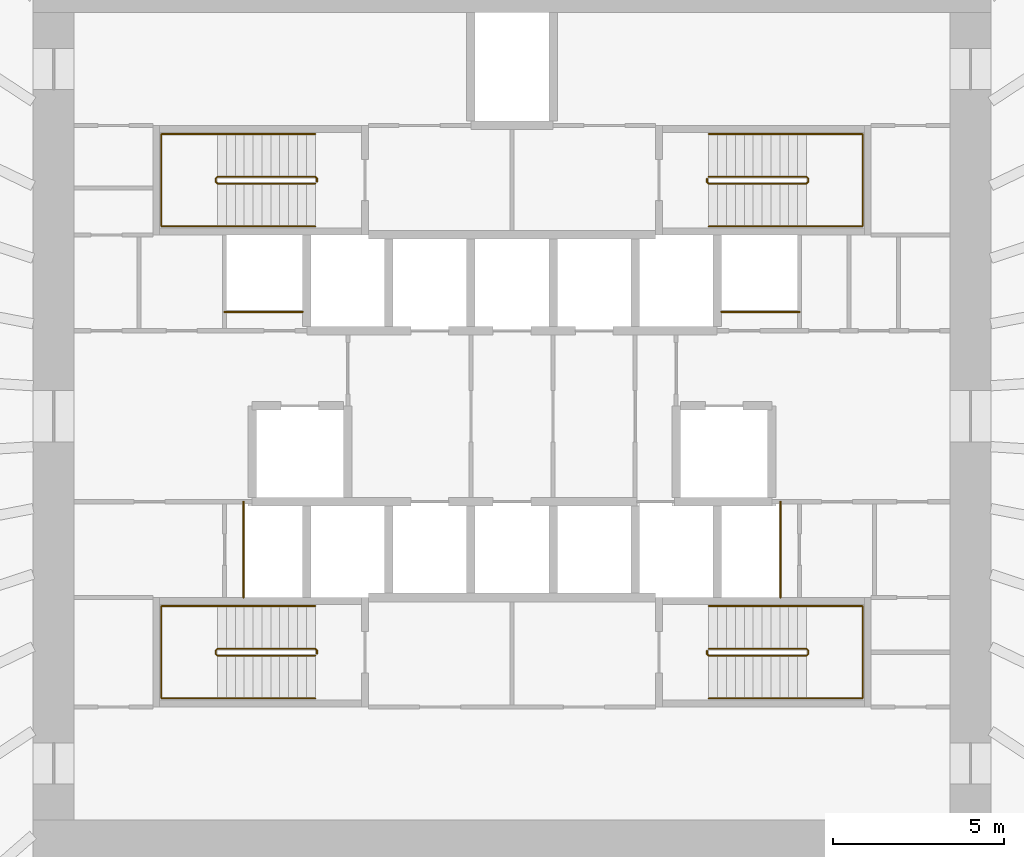
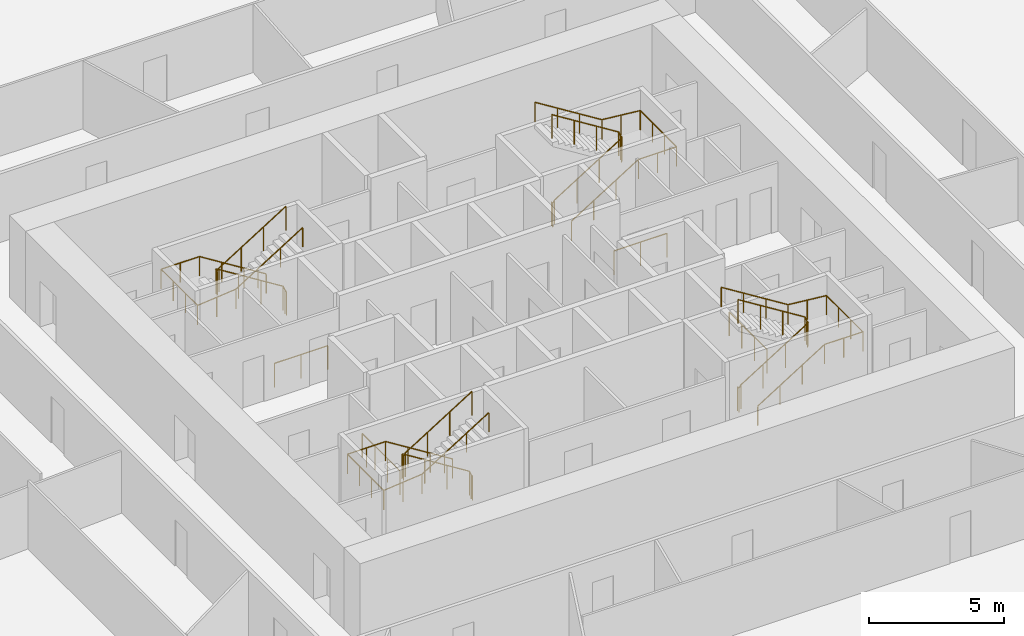
# One storey, part 12 of 12: 12 railings.
"""IFC4 building model written with IfcOpenShell, lengths in metres."""

import ifcopenshell
import ifcopenshell.guid

model = None  # the IFC model being written
_history = None  # IfcOwnerHistory: only IFC2X3 demands one
_inside = {}  # id of a spatial element -> (the spatial element, [elements in it])
_under = {}  # id of a project, library or spatial element -> (it, [spatial elements below it])
_declared = {}  # id of a project -> (the project, [libraries it declares])
_typed = {}  # id of a type object -> (the type object, [elements of that type])
_made_of = {}  # id of a material, layer set ... -> (it, [elements and type objects made of it])


def new_model(schema):
    """Start an empty IFC model of exactly this schema.

    Asked for "IFC4X3", IfcOpenShell would pick the latest addendum, in which some entities
    have other attributes; the version numbers below select the first issue.
    IFC2X3 requires an IfcOwnerHistory on every rooted entity: one is made here for all.
    """
    global model, _history
    if schema == "IFC4X3":
        model = ifcopenshell.file(schema_version=(4, 3, 0, 0))
    else:
        model = ifcopenshell.file(schema=schema)
    _inside.clear()
    _under.clear()
    _declared.clear()
    _typed.clear()
    _made_of.clear()
    _history = None
    if model.schema == "IFC2X3":
        org = make("IfcOrganization", Name="unknown")
        user = make(
            "IfcPersonAndOrganization",
            ThePerson=make("IfcPerson", FamilyName="unknown"),
            TheOrganization=org,
        )
        app = make(
            "IfcApplication",
            ApplicationDeveloper=org,
            Version="unknown",
            ApplicationFullName="unknown",
            ApplicationIdentifier="unknown",
        )
        _history = make(
            "IfcOwnerHistory",
            OwningUser=user,
            OwningApplication=app,
            ChangeAction="ADDED",
            CreationDate=0,
        )
    return model


def make(cls, **values):
    """One entity of the class cls with the attributes given. An attribute that is None is left unset."""
    return model.create_entity(
        cls, **{name: value for name, value in values.items() if value is not None}
    )


def rooted(cls, **values):
    """An entity with a GlobalId (a new one), such as an element, a storey or a relation."""
    return make(cls, GlobalId=ifcopenshell.guid.new(), OwnerHistory=_history, **values)


def si_unit(unit_type, name, prefix=None):
    """IfcSIUnit, for example si_unit("LENGTHUNIT", "METRE", prefix="MILLI")."""
    return make("IfcSIUnit", UnitType=unit_type, Prefix=prefix, Name=name)


def assignment(units):
    """IfcUnitAssignment: the units of a project."""
    return None if units is None else make("IfcUnitAssignment", Units=units)


def point(xyz):
    """IfcCartesianPoint."""
    return None if xyz is None else make("IfcCartesianPoint", Coordinates=xyz)


def direction(xyz):
    """IfcDirection."""
    return None if xyz is None else make("IfcDirection", DirectionRatios=xyz)


def frame(location, z_axis=None, x_axis=None):
    """IfcAxis2Placement3D, a coordinate frame: its origin and axes. An axis left out is left unset."""
    return make(
        "IfcAxis2Placement3D",
        Location=point(location),
        Axis=direction(z_axis),
        RefDirection=direction(x_axis),
    )


def frame_2d(location, x_axis=None):
    """IfcAxis2Placement2D, a coordinate frame in the plane: its origin and x axis."""
    return make(
        "IfcAxis2Placement2D", Location=point(location), RefDirection=direction(x_axis)
    )


def origin():
    """The frame at (0, 0, 0) with its axes left unset."""
    return frame((0.0, 0.0, 0.0))


def origin_2d():
    """The frame at (0, 0) in the plane with its x axis left unset."""
    return frame_2d((0.0, 0.0))


def place(relative_to, where):
    """IfcLocalPlacement: puts the frame where relative to a parent placement (None: the world)."""
    return make(
        "IfcLocalPlacement", PlacementRelTo=relative_to, RelativePlacement=where
    )


def context(
    kind, dimensions, precision=None, world=None, true_north=None, identifier=None
):
    """IfcGeometricRepresentationContext, for example the 3D "Model" context."""
    return make(
        "IfcGeometricRepresentationContext",
        ContextIdentifier=identifier,
        ContextType=kind,
        CoordinateSpaceDimension=dimensions,
        Precision=precision,
        WorldCoordinateSystem=world,
        TrueNorth=true_north,
    )


def subcontext(parent, identifier, kind, view, scale=None):
    """IfcGeometricRepresentationSubContext, for example "Body" below "Model"."""
    return make(
        "IfcGeometricRepresentationSubContext",
        ContextIdentifier=identifier,
        ContextType=kind,
        ParentContext=parent,
        TargetScale=scale,
        TargetView=view,
    )


def project(units=None, contexts=None):
    """IfcProject with its units and contexts."""
    return rooted(
        "IfcProject",
        Name="project",
        RepresentationContexts=contexts,
        UnitsInContext=assignment(units),
    )


def spatial(cls, under=None, at=None, **own):
    """A site, building, storey or space (cls), placed at a placement, below another one or the project."""
    s = rooted(cls, ObjectPlacement=at, **own)
    if under is not None:
        _under.setdefault(under.id(), (under, []))[1].append(s)
    return s


def profile(cls, at=None, kind="AREA", **sizes):
    """A parametric profile (cls). Its sizes go by their IFC names, for example OverallWidth=200.0."""
    return make(cls, ProfileType=kind, Position=at, **sizes)


def circle(**sizes):
    """IfcCircleProfileDef."""
    return profile("IfcCircleProfileDef", **sizes)


def extrude(swept, where, along, depth):
    """IfcExtrudedAreaSolid: the profile swept, set in the frame where, extruded along a direction by depth."""
    return make(
        "IfcExtrudedAreaSolid",
        SweptArea=swept,
        Position=where,
        ExtrudedDirection=direction(along),
        Depth=depth,
    )


def shape(context_of_items, identifier, shape_type, items):
    """IfcShapeRepresentation: the items that make up one representation, for example the "Body"."""
    return make(
        "IfcShapeRepresentation",
        ContextOfItems=context_of_items,
        RepresentationIdentifier=identifier,
        RepresentationType=shape_type,
        Items=items,
    )


def source(mapping_origin, context_of_items, identifier, shape_type, items):
    """IfcRepresentationMap: a shape defined once, which mapped items show again and again."""
    return make(
        "IfcRepresentationMap",
        MappingOrigin=mapping_origin,
        MappedRepresentation=shape(context_of_items, identifier, shape_type, items),
    )


def transform(
    local_origin,
    x_axis=None,
    y_axis=None,
    z_axis=None,
    scale=None,
    scale2=None,
    scale3=None,
    uniform=True,
):
    """IfcCartesianTransformationOperator3D, or its non-uniform kind. x_axis, y_axis, z_axis: its Axis1, 2, 3."""
    if uniform:
        return make(
            "IfcCartesianTransformationOperator3D",
            Axis1=direction(x_axis),
            Axis2=direction(y_axis),
            LocalOrigin=point(local_origin),
            Scale=scale,
            Axis3=direction(z_axis),
        )
    return make(
        "IfcCartesianTransformationOperator3DnonUniform",
        Axis1=direction(x_axis),
        Axis2=direction(y_axis),
        LocalOrigin=point(local_origin),
        Scale=scale,
        Axis3=direction(z_axis),
        Scale2=scale2,
        Scale3=scale3,
    )


def mapped(mapping_source, mapping_target):
    """IfcMappedItem: shows the shape of a source again, moved by a transform."""
    return make(
        "IfcMappedItem", MappingSource=mapping_source, MappingTarget=mapping_target
    )


def material(Name=None, Category=None):
    """IfcMaterial."""
    return make("IfcMaterial", Name=Name, Category=Category)


def made_of(thing, what):
    """Note that an element or type object is made of a material, layer set ...; save() writes the relation."""
    if what is not None:
        _made_of.setdefault(what.id(), (what, []))[1].append(thing)
    return thing


def type_object(cls, material=None, **own):
    """A type object (cls), such as IfcWallType, which elements share."""
    return made_of(rooted(cls, **own), material)


def element(
    cls,
    number,
    at=None,
    inside=None,
    cuts=None,
    type_object=None,
    material=None,
    context=None,
    identifier="Body",
    shape_type=None,
    held_by="IfcProductDefinitionShape",
    body=None,
    shapes=None,
    **own,
):
    """One element of the class cls, such as IfcWall. Its Tag is "e" and its number.

    at: its placement. inside: the storey or other place that contains it. cuts: it is an
    opening in that element (IfcRelVoidsElement). A single representation is given by context,
    identifier, shape_type and body (its items); several are given by shapes. held_by: the class
    of the entity that holds the representations. save() writes the other relations.
    """
    e = rooted(cls, Tag="e%d" % number, ObjectPlacement=at, **own)
    if body is not None:
        shapes = [shape(context, identifier, shape_type, body)]
    if shapes is not None:
        e.Representation = make(held_by, Representations=shapes)
    if inside is not None:
        _inside.setdefault(inside.id(), (inside, []))[1].append(e)
    if cuts is not None:
        rooted(
            "IfcRelVoidsElement", RelatingBuildingElement=cuts, RelatedOpeningElement=e
        )
    if type_object is not None:
        _typed.setdefault(type_object.id(), (type_object, []))[1].append(e)
    return made_of(e, material)


def aggregate(whole, parts):
    """IfcRelAggregates: a whole, such as a stair, and the parts it consists of."""
    return rooted("IfcRelAggregates", RelatingObject=whole, RelatedObjects=parts)


def save(model, path):
    """Write the relations noted so far, then the file.

    IfcRelAggregates (storeys below a building ...), IfcRelContainedInSpatialStructure (elements
    in a storey), IfcRelDefinesByType, IfcRelAssociatesMaterial and IfcRelDeclares: one each for
    every whole, place, type object, material and project.
    """
    for whole, parts in _under.values():
        aggregate(whole, parts)
    for where, things in _inside.values():
        rooted(
            "IfcRelContainedInSpatialStructure",
            RelatedElements=things,
            RelatingStructure=where,
        )
    for kind, things in _typed.values():
        rooted("IfcRelDefinesByType", RelatedObjects=things, RelatingType=kind)
    for what, things in _made_of.values():
        rooted("IfcRelAssociatesMaterial", RelatedObjects=things, RelatingMaterial=what)
    for by, libraries in _declared.values():
        rooted("IfcRelDeclares", RelatingContext=by, RelatedDefinitions=libraries)
    model.write(path)


model = new_model("IFC4")

# Units and contexts
model_context = context("Model", 3, precision=1e-05, world=origin(), true_north=direction((0.0, 1.0)))
body_context = subcontext(model_context, "Body", "Model", "MODEL_VIEW")
ifc_project = project(units=[si_unit("LENGTHUNIT", "METRE"), si_unit("AREAUNIT", "SQUARE_METRE"), si_unit("VOLUMEUNIT", "CUBIC_METRE"), si_unit("PLANEANGLEUNIT", "RADIAN"), si_unit("MASSUNIT", "GRAM", prefix="KILO")], contexts=[model_context])

# Site, building, storey
site_placement = place(None, origin())
site = spatial("IfcSite", under=ifc_project, at=site_placement, CompositionType="ELEMENT")
building_placement = place(site_placement, origin())
building = spatial("IfcBuilding", under=site, at=building_placement, Name="Embergate Tower", CompositionType="ELEMENT")
storey_placement = place(building_placement, frame((0.0, 0.0, 85.39990234375)))
storey = spatial("IfcBuildingStorey", under=building, at=storey_placement, Name="L17", CompositionType="ELEMENT", Elevation=85.39990234375)

# Railings
ifc_material_1 = material(Name="Stair guard 1100")
railing_type_1 = type_object("IfcRailingType", Name="Stair guard 1100", PredefinedType="GUARDRAIL", material=ifc_material_1)
shared_shape_1 = source(origin(), body_context, "Body", "SweptSolid", [
    extrude(circle(Radius=0.02392578125, at=origin_2d()), frame((0.0, 0.0, 1.076171875), z_axis=(0.0, 1.0, 0.0), x_axis=(-1.0, 0.0, 0.0)), (0.0, 0.0, 1.0), 0.099853515625),
    extrude(circle(Radius=0.02392578125, at=origin_2d()), frame((0.0, 0.099853515625, 1.076171875), z_axis=(-0.282227285176, 0.282227285176, 0.916894497205), x_axis=(-0.707106781187, -0.707106781187, 0.0)), (0.0, 0.0, 1.0), 0.17724609375),
    extrude(circle(Radius=0.02392578125, at=origin_2d()), frame((-0.050048828125, 0.14990234375, 1.23876953125), z_axis=(-0.847994237388, 0.0, 0.530005446535), x_axis=(0.0, -1.0, 0.0)), (0.0, 0.0, 1.0), 3.372802734375),
    extrude(circle(Radius=0.02392578125, at=origin_2d()), frame((-2.91015625, 0.14990234375, 3.0263671875), z_axis=(-0.705375805398, -0.708833529934, 0.0), x_axis=(0.708833529934, -0.705375805398, 0.0)), (0.0, 0.0, 1.0), 0.070556640625),
    extrude(circle(Radius=0.02392578125, at=origin_2d()), frame((-2.9599609375, 0.099853515625, 3.0263671875), z_axis=(0.0, -1.0, 0.0), x_axis=(1.0, 0.0, 0.0)), (0.0, 0.0, 1.0), 0.099853515625),
    extrude(circle(Radius=0.02392578125, at=origin_2d()), frame((-2.9599609375, 0.0, 3.0263671875), z_axis=(0.281314826061, -0.282693820306, 0.917031173188), x_axis=(0.708833529934, 0.705375805398, 0.0)), (0.0, 0.0, 1.0), 0.177001953125),
    extrude(circle(Radius=0.02392578125, at=origin_2d()), frame((-2.91015625, -0.050048828125, 3.1884765625), z_axis=(0.847994237388, 0.0, 0.530005446535), x_axis=(0.0, 1.0, 0.0)), (0.0, 0.0, 1.0), 3.372802734375),
    extrude(circle(Radius=0.02099609375, at=origin_2d()), origin(), (0.0, 0.0, 1.0), 1.052001953125),
    extrude(circle(Radius=0.02099609375, at=origin_2d()), frame((0.0, 0.099853515625, 0.0)), (0.0, 0.0, 1.0), 1.052001953125),
    extrude(circle(Radius=0.02099609375, at=origin_2d()), frame((-0.050048828125, 0.14990234375, 0.16259765625)), (0.0, 0.0, 1.0), 1.052001953125),
    extrude(circle(Radius=0.02099609375, at=origin_2d()), frame((-1.00341796875, 0.14990234375, 0.758544921875)), (0.0, 0.0, 1.0), 1.052001953125),
    extrude(circle(Radius=0.02099609375, at=origin_2d()), frame((-1.956787109375, 0.14990234375, 1.354248046875)), (0.0, 0.0, 1.0), 1.052001953125),
    extrude(circle(Radius=0.02099609375, at=origin_2d()), frame((-2.91015625, 0.14990234375, 1.9501953125)), (0.0, 0.0, 1.0), 1.052001953125),
    extrude(circle(Radius=0.02099609375, at=origin_2d()), frame((-2.9599609375, 0.099853515625, 1.9501953125)), (0.0, 0.0, 1.0), 1.052001953125),
    extrude(circle(Radius=0.02099609375, at=origin_2d()), frame((-2.9599609375, 0.0, 1.9501953125)), (0.0, 0.0, 1.0), 1.052001953125),
    extrude(circle(Radius=0.02099609375, at=origin_2d()), frame((-2.91015625, -0.050048828125, 2.112548828125)), (0.0, 0.0, 1.0), 1.052001953125),
    extrude(circle(Radius=0.02099609375, at=origin_2d()), frame((-1.956787109375, -0.050048828125, 2.70849609375)), (0.0, 0.0, 1.0), 1.052001953125),
    extrude(circle(Radius=0.02099609375, at=origin_2d()), frame((-1.00341796875, -0.050048828125, 3.30419921875)), (0.0, 0.0, 1.0), 1.052001953125),
    extrude(circle(Radius=0.02099609375, at=origin_2d()), frame((-0.050048828125, -0.050048828125, 3.900146484375)), (0.0, 0.0, 1.0), 1.052001953125),
])
for number, where, name in (
    (1, (-5.699951171875, 6.85009765625, 0.0), "L17 ST1 stair guard 1"),
    (2, (-5.699951171875, -6.949951171875, 0.0), "L17 ST3 stair guard 1"),
):
    element("IfcRailing", number, at=place(storey_placement, frame(where)), inside=storey, type_object=railing_type_1, Name=name, PredefinedType="GUARDRAIL", context=body_context, shape_type="MappedRepresentation", body=[
        mapped(shared_shape_1, transform((0.0, 0.0, 0.0))),
    ])
ifc_material_2 = material(Name="Stair handrail 900")
railing_type_2 = type_object("IfcRailingType", Name="Stair handrail 900", PredefinedType="HANDRAIL", material=ifc_material_2)
shared_shape_2 = source(origin(), body_context, "Body", "SweptSolid", [
    extrude(circle(Radius=0.02392578125, at=origin_2d()), frame((0.0, 0.0, 0.8759765625), z_axis=(-0.847994237388, 0.0, 0.530005446535), x_axis=(0.0, -1.0, 0.0)), (0.0, 0.0, 1.0), 3.372802734375),
    extrude(circle(Radius=0.02392578125, at=origin_2d()), frame((-2.860107421875, 0.0, 2.66357421875), z_axis=(-1.0, 0.0, 0.0), x_axis=(0.0, -1.0, 0.0)), (0.0, 0.0, 1.0), 1.639892578125),
    extrude(circle(Radius=0.02392578125, at=origin_2d()), frame((-4.5, 0.0, 2.66357421875), z_axis=(0.0, -1.0, 0.0), x_axis=(1.0, 0.0, 0.0)), (0.0, 0.0, 1.0), 2.699951171875),
    extrude(circle(Radius=0.02392578125, at=origin_2d()), frame((-4.5, -2.699951171875, 2.66357421875), z_axis=(0.995134983717, 0.0, 0.098520881967), x_axis=(0.0, 1.0, 0.0)), (0.0, 0.0, 1.0), 1.64794921875),
    extrude(circle(Radius=0.02392578125, at=origin_2d()), frame((-2.860107421875, -2.699951171875, 2.82568359375), z_axis=(0.847994237388, 0.0, 0.530005446535), x_axis=(0.0, 1.0, 0.0)), (0.0, 0.0, 1.0), 3.372802734375),
    extrude(circle(Radius=0.02099609375, at=origin_2d()), origin(), (0.0, 0.0, 1.0), 0.851806640625),
    extrude(circle(Radius=0.02099609375, at=origin_2d()), frame((-0.953369140625, 0.0, 0.595947265625)), (0.0, 0.0, 1.0), 0.851806640625),
    extrude(circle(Radius=0.02099609375, at=origin_2d()), frame((-1.90673828125, 0.0, 1.191650390625)), (0.0, 0.0, 1.0), 0.851806640625),
    extrude(circle(Radius=0.02099609375, at=origin_2d()), frame((-2.860107421875, 0.0, 1.78759765625)), (0.0, 0.0, 1.0), 0.851806640625),
    extrude(circle(Radius=0.02099609375, at=origin_2d()), frame((-3.68017578125, 0.0, 1.78759765625)), (0.0, 0.0, 1.0), 0.851806640625),
    extrude(circle(Radius=0.02099609375, at=origin_2d()), frame((-4.5, 0.0, 1.78759765625)), (0.0, 0.0, 1.0), 0.851806640625),
    extrude(circle(Radius=0.02099609375, at=origin_2d()), frame((-4.5, -0.89990234375, 1.78759765625)), (0.0, 0.0, 1.0), 0.851806640625),
    extrude(circle(Radius=0.02099609375, at=origin_2d()), frame((-4.5, -1.800048828125, 1.78759765625)), (0.0, 0.0, 1.0), 0.851806640625),
    extrude(circle(Radius=0.02099609375, at=origin_2d()), frame((-4.5, -2.699951171875, 1.78759765625)), (0.0, 0.0, 1.0), 0.851806640625),
    extrude(circle(Radius=0.02099609375, at=origin_2d()), frame((-3.68017578125, -2.699951171875, 1.86865234375)), (0.0, 0.0, 1.0), 0.851806640625),
    extrude(circle(Radius=0.02099609375, at=origin_2d()), frame((-2.860107421875, -2.699951171875, 1.949951171875)), (0.0, 0.0, 1.0), 0.851806640625),
    extrude(circle(Radius=0.02099609375, at=origin_2d()), frame((-1.90673828125, -2.699951171875, 2.5458984375)), (0.0, 0.0, 1.0), 0.851806640625),
    extrude(circle(Radius=0.02099609375, at=origin_2d()), frame((-0.953369140625, -2.699951171875, 3.1416015625)), (0.0, 0.0, 1.0), 0.851806640625),
    extrude(circle(Radius=0.02099609375, at=origin_2d()), frame((0.0, -2.699951171875, 3.737548828125)), (0.0, 0.0, 1.0), 0.851806640625),
])
for number, where, name in (
    (3, (-5.75, 8.25, 0.16259765625), "L17 ST1 stair handrail 1"),
    (4, (-5.75, -5.550048828125, 0.16259765625), "L17 ST3 stair handrail 1"),
):
    element("IfcRailing", number, at=place(storey_placement, frame(where)), inside=storey, type_object=railing_type_2, Name=name, PredefinedType="HANDRAIL", context=body_context, shape_type="MappedRepresentation", body=[
        mapped(shared_shape_2, transform((0.0, 0.0, 0.0))),
    ])
shared_shape_3 = source(origin(), body_context, "Body", "SweptSolid", [
    extrude(circle(Radius=0.02392578125, at=origin_2d()), frame((0.0, 0.0, 1.076171875), z_axis=(0.0, -1.0, 0.0), x_axis=(1.0, 0.0, 0.0)), (0.0, 0.0, 1.0), 0.099853515625),
    extrude(circle(Radius=0.02392578125, at=origin_2d()), frame((0.0, -0.099853515625, 1.076171875), z_axis=(0.282227285176, -0.282227285176, 0.916894497205), x_axis=(0.707106781187, 0.707106781187, 0.0)), (0.0, 0.0, 1.0), 0.17724609375),
    extrude(circle(Radius=0.02392578125, at=origin_2d()), frame((0.050048828125, -0.14990234375, 1.23876953125), z_axis=(0.847994237388, 0.0, 0.530005446535), x_axis=(0.0, 1.0, 0.0)), (0.0, 0.0, 1.0), 3.372802734375),
    extrude(circle(Radius=0.02392578125, at=origin_2d()), frame((2.91015625, -0.14990234375, 3.0263671875), z_axis=(0.705375805398, 0.708833529934, 0.0), x_axis=(-0.708833529934, 0.705375805398, 0.0)), (0.0, 0.0, 1.0), 0.070556640625),
    extrude(circle(Radius=0.02392578125, at=origin_2d()), frame((2.9599609375, -0.099853515625, 3.0263671875), z_axis=(0.0, 1.0, 0.0), x_axis=(-1.0, 0.0, 0.0)), (0.0, 0.0, 1.0), 0.099853515625),
    extrude(circle(Radius=0.02392578125, at=origin_2d()), frame((2.9599609375, 0.0, 3.0263671875), z_axis=(-0.281314826061, 0.282693820306, 0.917031173188), x_axis=(-0.708833529934, -0.705375805398, 0.0)), (0.0, 0.0, 1.0), 0.177001953125),
    extrude(circle(Radius=0.02392578125, at=origin_2d()), frame((2.91015625, 0.050048828125, 3.1884765625), z_axis=(-0.847994237388, 0.0, 0.530005446535), x_axis=(0.0, -1.0, 0.0)), (0.0, 0.0, 1.0), 3.372802734375),
    extrude(circle(Radius=0.02099609375, at=origin_2d()), origin(), (0.0, 0.0, 1.0), 1.052001953125),
    extrude(circle(Radius=0.02099609375, at=origin_2d()), frame((0.0, -0.099853515625, 0.0)), (0.0, 0.0, 1.0), 1.052001953125),
    extrude(circle(Radius=0.02099609375, at=origin_2d()), frame((0.050048828125, -0.14990234375, 0.16259765625)), (0.0, 0.0, 1.0), 1.052001953125),
    extrude(circle(Radius=0.02099609375, at=origin_2d()), frame((1.00341796875, -0.14990234375, 0.758544921875)), (0.0, 0.0, 1.0), 1.052001953125),
    extrude(circle(Radius=0.02099609375, at=origin_2d()), frame((1.956787109375, -0.14990234375, 1.354248046875)), (0.0, 0.0, 1.0), 1.052001953125),
    extrude(circle(Radius=0.02099609375, at=origin_2d()), frame((2.91015625, -0.14990234375, 1.9501953125)), (0.0, 0.0, 1.0), 1.052001953125),
    extrude(circle(Radius=0.02099609375, at=origin_2d()), frame((2.9599609375, -0.099853515625, 1.9501953125)), (0.0, 0.0, 1.0), 1.052001953125),
    extrude(circle(Radius=0.02099609375, at=origin_2d()), frame((2.9599609375, 0.0, 1.9501953125)), (0.0, 0.0, 1.0), 1.052001953125),
    extrude(circle(Radius=0.02099609375, at=origin_2d()), frame((2.91015625, 0.050048828125, 2.112548828125)), (0.0, 0.0, 1.0), 1.052001953125),
    extrude(circle(Radius=0.02099609375, at=origin_2d()), frame((1.956787109375, 0.050048828125, 2.70849609375)), (0.0, 0.0, 1.0), 1.052001953125),
    extrude(circle(Radius=0.02099609375, at=origin_2d()), frame((1.00341796875, 0.050048828125, 3.30419921875)), (0.0, 0.0, 1.0), 1.052001953125),
    extrude(circle(Radius=0.02099609375, at=origin_2d()), frame((0.050048828125, 0.050048828125, 3.900146484375)), (0.0, 0.0, 1.0), 1.052001953125),
])
for number, where, name in (
    (5, (5.699951171875, 6.949951171875, 0.0), "L17 ST2 stair guard 1"),
    (6, (5.699951171875, -6.85009765625, 0.0), "L17 ST4 stair guard 1"),
):
    element("IfcRailing", number, at=place(storey_placement, frame(where)), inside=storey, type_object=railing_type_1, Name=name, PredefinedType="GUARDRAIL", context=body_context, shape_type="MappedRepresentation", body=[
        mapped(shared_shape_3, transform((0.0, 0.0, 0.0))),
    ])
shared_shape_4 = source(origin(), body_context, "Body", "SweptSolid", [
    extrude(circle(Radius=0.02392578125, at=origin_2d()), frame((0.0, 0.0, 0.8759765625), z_axis=(0.847994237388, 0.0, 0.530005446535), x_axis=(0.0, 1.0, 0.0)), (0.0, 0.0, 1.0), 3.372802734375),
    extrude(circle(Radius=0.02392578125, at=origin_2d()), frame((2.860107421875, 0.0, 2.66357421875), z_axis=(1.0, 0.0, 0.0), x_axis=(0.0, 1.0, 0.0)), (0.0, 0.0, 1.0), 1.639892578125),
    extrude(circle(Radius=0.02392578125, at=origin_2d()), frame((4.5, 0.0, 2.66357421875), z_axis=(0.0, 1.0, 0.0), x_axis=(-1.0, 0.0, 0.0)), (0.0, 0.0, 1.0), 2.699951171875),
    extrude(circle(Radius=0.02392578125, at=origin_2d()), frame((4.5, 2.699951171875, 2.66357421875), z_axis=(-0.995134983717, 0.0, 0.098520881967), x_axis=(0.0, -1.0, 0.0)), (0.0, 0.0, 1.0), 1.64794921875),
    extrude(circle(Radius=0.02392578125, at=origin_2d()), frame((2.860107421875, 2.699951171875, 2.82568359375), z_axis=(-0.847994237388, 0.0, 0.530005446535), x_axis=(0.0, -1.0, 0.0)), (0.0, 0.0, 1.0), 3.372802734375),
    extrude(circle(Radius=0.02099609375, at=origin_2d()), origin(), (0.0, 0.0, 1.0), 0.851806640625),
    extrude(circle(Radius=0.02099609375, at=origin_2d()), frame((0.953369140625, 0.0, 0.595947265625)), (0.0, 0.0, 1.0), 0.851806640625),
    extrude(circle(Radius=0.02099609375, at=origin_2d()), frame((1.90673828125, 0.0, 1.191650390625)), (0.0, 0.0, 1.0), 0.851806640625),
    extrude(circle(Radius=0.02099609375, at=origin_2d()), frame((2.860107421875, 0.0, 1.78759765625)), (0.0, 0.0, 1.0), 0.851806640625),
    extrude(circle(Radius=0.02099609375, at=origin_2d()), frame((3.68017578125, 0.0, 1.78759765625)), (0.0, 0.0, 1.0), 0.851806640625),
    extrude(circle(Radius=0.02099609375, at=origin_2d()), frame((4.5, 0.0, 1.78759765625)), (0.0, 0.0, 1.0), 0.851806640625),
    extrude(circle(Radius=0.02099609375, at=origin_2d()), frame((4.5, 0.89990234375, 1.78759765625)), (0.0, 0.0, 1.0), 0.851806640625),
    extrude(circle(Radius=0.02099609375, at=origin_2d()), frame((4.5, 1.800048828125, 1.78759765625)), (0.0, 0.0, 1.0), 0.851806640625),
    extrude(circle(Radius=0.02099609375, at=origin_2d()), frame((4.5, 2.699951171875, 1.78759765625)), (0.0, 0.0, 1.0), 0.851806640625),
    extrude(circle(Radius=0.02099609375, at=origin_2d()), frame((3.68017578125, 2.699951171875, 1.86865234375)), (0.0, 0.0, 1.0), 0.851806640625),
    extrude(circle(Radius=0.02099609375, at=origin_2d()), frame((2.860107421875, 2.699951171875, 1.949951171875)), (0.0, 0.0, 1.0), 0.851806640625),
    extrude(circle(Radius=0.02099609375, at=origin_2d()), frame((1.90673828125, 2.699951171875, 2.5458984375)), (0.0, 0.0, 1.0), 0.851806640625),
    extrude(circle(Radius=0.02099609375, at=origin_2d()), frame((0.953369140625, 2.699951171875, 3.1416015625)), (0.0, 0.0, 1.0), 0.851806640625),
    extrude(circle(Radius=0.02099609375, at=origin_2d()), frame((0.0, 2.699951171875, 3.737548828125)), (0.0, 0.0, 1.0), 0.851806640625),
])
for number, where, name in (
    (7, (5.75, 5.550048828125, 0.16259765625), "L17 ST2 stair handrail 1"),
    (8, (5.75, -8.25, 0.16259765625), "L17 ST4 stair handrail 1"),
):
    element("IfcRailing", number, at=place(storey_placement, frame(where)), inside=storey, type_object=railing_type_2, Name=name, PredefinedType="HANDRAIL", context=body_context, shape_type="MappedRepresentation", body=[
        mapped(shared_shape_4, transform((0.0, 0.0, 0.0))),
    ])
ifc_material_3 = material(Name="Opening guard 1100")
railing_type_3 = type_object("IfcRailingType", Name="Opening guard 1100", PredefinedType="GUARDRAIL", material=ifc_material_3)
shared_shape_5 = source(origin(), body_context, "Body", "SweptSolid", [
    extrude(circle(Radius=0.02392578125, at=origin_2d()), frame((0.0, 0.0, 1.076171875), z_axis=(1.0, 0.0, 0.0), x_axis=(0.0, 1.0, 0.0)), (0.0, 0.0, 1.0), 2.27490234375),
    extrude(circle(Radius=0.02099609375, at=origin_2d()), origin(), (0.0, 0.0, 1.0), 1.052001953125),
    extrude(circle(Radius=0.02099609375, at=origin_2d()), frame((1.137451171875, 0.0, 0.0)), (0.0, 0.0, 1.0), 1.052001953125),
    extrude(circle(Radius=0.02099609375, at=origin_2d()), frame((2.27490234375, 0.0, 0.0)), (0.0, 0.0, 1.0), 1.052001953125),
])
for number, where, name in (
    (9, (-8.39990234375, 3.050048828125, 0.0), "Riser opening guard"),
    (10, (6.125, 3.050048828125, 0.0), "Riser opening guard"),
):
    element("IfcRailing", number, at=place(storey_placement, frame(where)), inside=storey, type_object=railing_type_3, Name=name, PredefinedType="GUARDRAIL", context=body_context, shape_type="MappedRepresentation", body=[
        mapped(shared_shape_5, transform((0.0, 0.0, 0.0))),
    ])
shared_shape_6 = source(origin(), body_context, "Body", "SweptSolid", [
    extrude(circle(Radius=0.02392578125, at=origin_2d()), frame((0.0, 0.0, 1.076171875), z_axis=(0.0, 1.0, 0.0), x_axis=(-1.0, 0.0, 0.0)), (0.0, 0.0, 1.0), 2.800048828125),
    extrude(circle(Radius=0.02099609375, at=origin_2d()), origin(), (0.0, 0.0, 1.0), 1.052001953125),
    extrude(circle(Radius=0.02099609375, at=origin_2d()), frame((0.0, 0.933349609375, 0.0)), (0.0, 0.0, 1.0), 1.052001953125),
    extrude(circle(Radius=0.02099609375, at=origin_2d()), frame((0.0, 1.86669921875, 0.0)), (0.0, 0.0, 1.0), 1.052001953125),
    extrude(circle(Radius=0.02099609375, at=origin_2d()), frame((0.0, 2.800048828125, 0.0)), (0.0, 0.0, 1.0), 1.052001953125),
])
for number, where, name in (
    (11, (-7.85009765625, -5.300048828125, 0.0), "Riser opening guard"),
    (12, (7.85009765625, -5.300048828125, 0.0), "Riser opening guard"),
):
    element("IfcRailing", number, at=place(storey_placement, frame(where)), inside=storey, type_object=railing_type_3, Name=name, PredefinedType="GUARDRAIL", context=body_context, shape_type="MappedRepresentation", body=[
        mapped(shared_shape_6, transform((0.0, 0.0, 0.0))),
    ])

save(model, "model.ifc")
